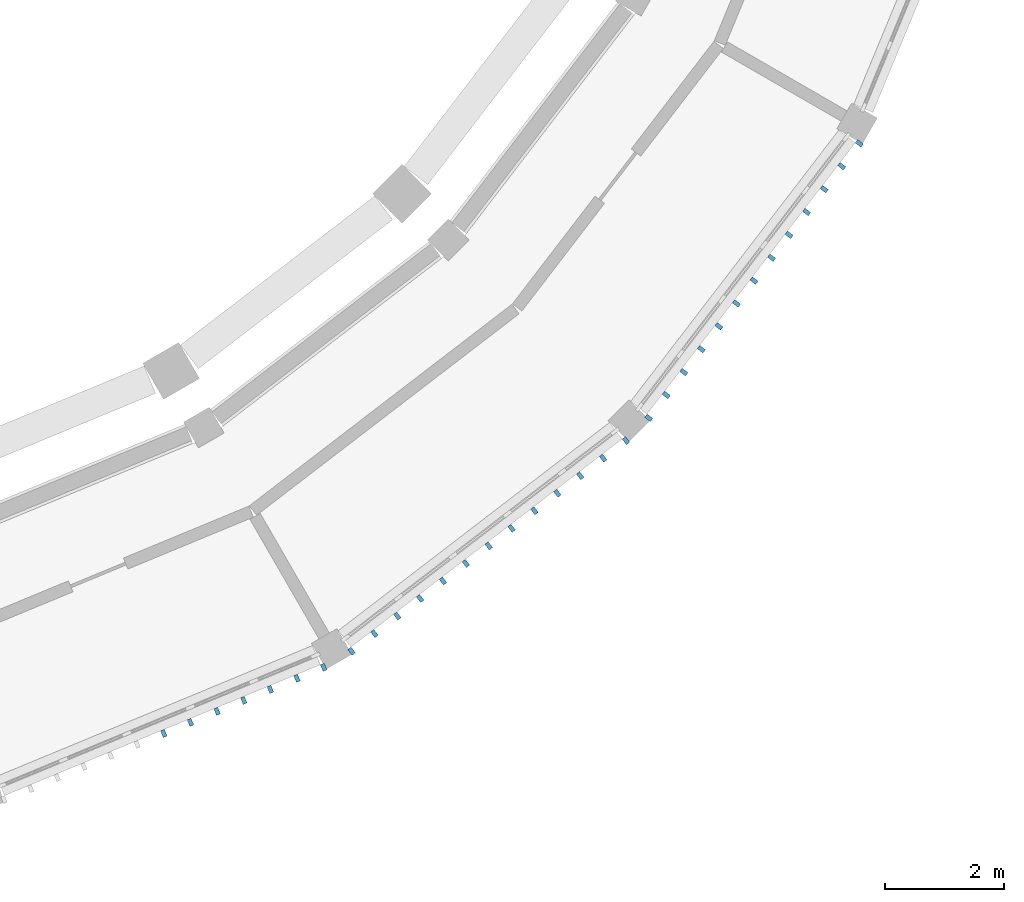
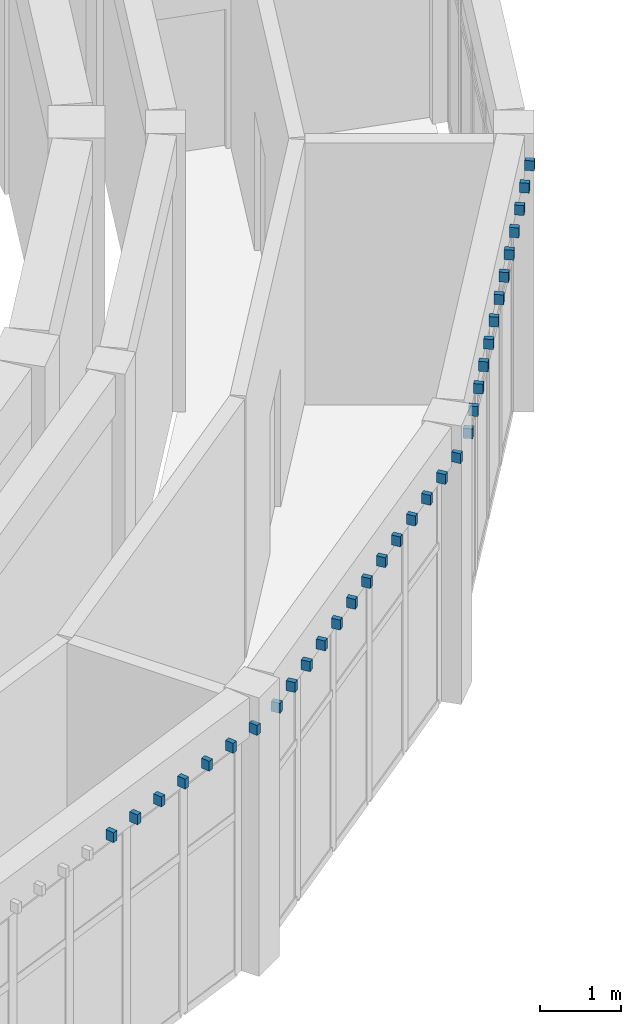
# One storey, part 73 of 99: 33 discrete accessories.
"""IFC4 building model written with IfcOpenShell, lengths in metres."""

from ifc_helpers import new_model, si_unit, direction, frame, origin, origin_2d, place, context, subcontext, project, spatial, rectangle, extrude, material, type_object, element, save


model = new_model("IFC4")

# Units and contexts
model_context = context("Model", 3, precision=1e-05, world=origin(), true_north=direction((0.0, 1.0)))
body_context = subcontext(model_context, "Body", "Model", "MODEL_VIEW")
ifc_project = project(units=[si_unit("LENGTHUNIT", "METRE"), si_unit("AREAUNIT", "SQUARE_METRE"), si_unit("VOLUMEUNIT", "CUBIC_METRE"), si_unit("PLANEANGLEUNIT", "RADIAN"), si_unit("MASSUNIT", "GRAM", prefix="KILO")], contexts=[model_context])

# Site, building, storey
site_placement = place(None, origin())
site = spatial("IfcSite", under=ifc_project, at=site_placement, CompositionType="ELEMENT")
building_placement = place(site_placement, origin())
building = spatial("IfcBuilding", under=site, at=building_placement, Name="Wasatch Bagh Community Centre", CompositionType="ELEMENT")
storey_placement = place(building_placement, frame((0.0, 0.0, 4.199951171875)))
storey = spatial("IfcBuildingStorey", under=building, at=storey_placement, Name="L01", CompositionType="ELEMENT", Elevation=4.199951171875)

# Discrete accessories
ifc_material = material(Name="ASTM A36 steel", Category="steel")
discrete_accessory_type = type_object("IfcDiscreteAccessoryType", Name="Drum fin bracket", PredefinedType="BRACKET", material=ifc_material)
for number, where, z_axis, x_axis, name in (
    (1, (45.252685546875, 12.662109375, 3.675048828125), (0.0, 0.0, 1.0), (0.923879532511, 0.382683432365, 0.0), "Fin bracket 8.7.2"),
    (2, (45.70068359375, 12.84765625, 3.675048828125), (0.0, 0.0, 1.0), (0.923879532511, 0.382683432365, 0.0), "Fin bracket 8.8.2"),
    (3, (46.148681640625, 13.033203125, 3.675048828125), (0.0, 0.0, 1.0), (0.923879532511, 0.382683432365, 0.0), "Fin bracket 8.9.2"),
    (4, (46.5966796875, 13.21875, 3.675048828125), (0.0, 0.0, 1.0), (0.923879532511, 0.382683432365, 0.0), "Fin bracket 8.10.2"),
    (5, (47.044921875, 13.404296875, 3.675048828125), (0.0, 0.0, 1.0), (0.923879532511, 0.382683432365, 0.0), "Fin bracket 8.11.2"),
    (6, (47.492919921875, 13.590087890625, 3.675048828125), (0.0, 0.0, 1.0), (0.923879532511, 0.382683432365, 0.0), "Fin bracket 8.12.2"),
    (7, (47.94091796875, 13.775634765625, 3.675048828125), (0.0, 0.0, 1.0), (0.923879532511, 0.382683432365, 0.0), "Fin bracket 8.13.2"),
    (8, (48.410400390625, 14.046630859375, 3.675048828125), (0.0, 0.0, 1.0), (0.793353340291, 0.608761429009, 0.0), "Fin bracket 9.1.2"),
    (9, (48.795166015625, 14.341796875, 3.675048828125), (0.0, 0.0, 1.0), (0.793353340291, 0.608761429009, 0.0), "Fin bracket 9.2.2"),
    (10, (49.179931640625, 14.63720703125, 3.675048828125), (0.0, 0.0, 1.0), (0.793353340291, 0.608761429009, 0.0), "Fin bracket 9.3.2"),
    (11, (49.564697265625, 14.932373046875, 3.675048828125), (0.0, 0.0, 1.0), (0.793353340291, 0.608761429009, 0.0), "Fin bracket 9.4.2"),
    (12, (49.949462890625, 15.2275390625, 3.675048828125), (0.0, 0.0, 1.0), (0.793353340291, 0.608761429009, 0.0), "Fin bracket 9.5.2"),
    (13, (50.334228515625, 15.522705078125, 3.675048828125), (0.0, 0.0, 1.0), (0.793353340291, 0.608761429009, 0.0), "Fin bracket 9.6.2"),
    (14, (50.718994140625, 15.81787109375, 3.675048828125), (0.0, 0.0, 1.0), (0.793353340291, 0.608761429009, 0.0), "Fin bracket 9.7.2"),
    (15, (51.103515625, 16.11328125, 3.675048828125), (0.0, 0.0, 1.0), (0.793353340291, 0.608761429009, 0.0), "Fin bracket 9.8.2"),
    (16, (51.48828125, 16.408447265625, 3.675048828125), (0.0, 0.0, 1.0), (0.793353340291, 0.608761429009, 0.0), "Fin bracket 9.9.2"),
    (17, (51.873046875, 16.70361328125, 3.675048828125), (0.0, 0.0, 1.0), (0.793353340291, 0.608761429009, 0.0), "Fin bracket 9.10.2"),
    (18, (52.2578125, 16.998779296875, 3.675048828125), (0.0, 0.0, 1.0), (0.793353340291, 0.608761429009, 0.0), "Fin bracket 9.11.2"),
    (19, (52.642578125, 17.294189453125, 3.675048828125), (0.0, 0.0, 1.0), (0.793353340291, 0.608761429009, 0.0), "Fin bracket 9.12.2"),
    (20, (53.02734375, 17.58935546875, 3.675048828125), (0.0, 0.0, 1.0), (0.793353340291, 0.608761429009, 0.0), "Fin bracket 9.13.2"),
    (21, (53.41064453125, 17.97265625, 3.675048828125), (0.0, 0.0, 1.0), (0.608761429009, 0.793353340291, 0.0), "Fin bracket 10.1.2"),
    (22, (53.705810546875, 18.357421875, 3.675048828125), (0.0, 0.0, 1.0), (0.608761429009, 0.793353340291, 0.0), "Fin bracket 10.2.2"),
    (23, (54.001220703125, 18.7421875, 3.675048828125), (0.0, 0.0, 1.0), (0.608761429009, 0.793353340291, 0.0), "Fin bracket 10.3.2"),
    (24, (54.29638671875, 19.126953125, 3.675048828125), (0.0, 0.0, 1.0), (0.608761429009, 0.793353340291, 0.0), "Fin bracket 10.4.2"),
    (25, (54.591552734375, 19.51171875, 3.675048828125), (0.0, 0.0, 1.0), (0.608761429009, 0.793353340291, 0.0), "Fin bracket 10.5.2"),
    (26, (54.88671875, 19.896484375, 3.675048828125), (0.0, 0.0, 1.0), (0.608761429009, 0.793353340291, 0.0), "Fin bracket 10.6.2"),
    (27, (55.18212890625, 20.281005859375, 3.675048828125), (0.0, 0.0, 1.0), (0.608761429009, 0.793353340291, 0.0), "Fin bracket 10.7.2"),
    (28, (55.477294921875, 20.665771484375, 3.675048828125), (0.0, 0.0, 1.0), (0.608761429009, 0.793353340291, 0.0), "Fin bracket 10.8.2"),
    (29, (55.7724609375, 21.050537109375, 3.675048828125), (0.0, 0.0, 1.0), (0.608761429009, 0.793353340291, 0.0), "Fin bracket 10.9.2"),
    (30, (56.067626953125, 21.435302734375, 3.675048828125), (0.0, 0.0, 1.0), (0.608761429009, 0.793353340291, 0.0), "Fin bracket 10.10.2"),
    (31, (56.36279296875, 21.820068359375, 3.675048828125), (0.0, 0.0, 1.0), (0.608761429009, 0.793353340291, 0.0), "Fin bracket 10.11.2"),
    (32, (56.658203125, 22.204833984375, 3.675048828125), (0.0, 0.0, 1.0), (0.608761429009, 0.793353340291, 0.0), "Fin bracket 10.12.2"),
    (33, (56.953369140625, 22.589599609375, 3.675048828125), (0.0, 0.0, 1.0), (0.608761429009, 0.793353340291, 0.0), "Fin bracket 10.13.2"),
):
    element("IfcDiscreteAccessory", number, at=place(storey_placement, frame(where, z_axis=z_axis, x_axis=x_axis)), inside=storey, type_object=discrete_accessory_type, Name=name, PredefinedType="BRACKET", context=body_context, shape_type="SweptSolid", body=[
        extrude(rectangle(XDim=0.070068359375, YDim=0.1201171875, at=origin_2d()), origin(), (0.0, 0.0, 1.0), 0.14990234375),
    ])

save(model, "model.ifc")
